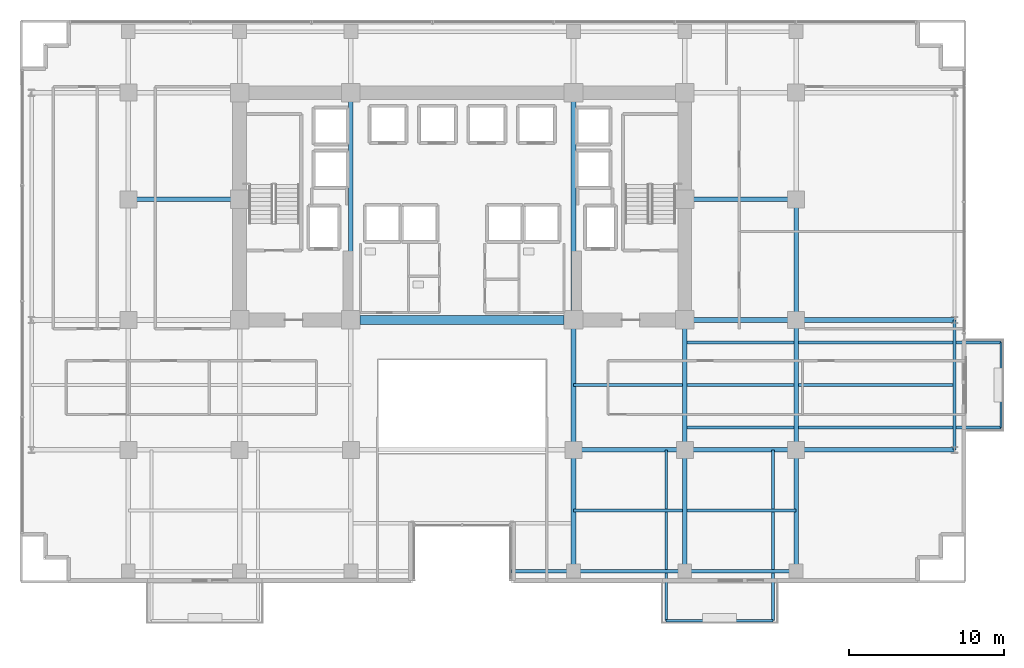
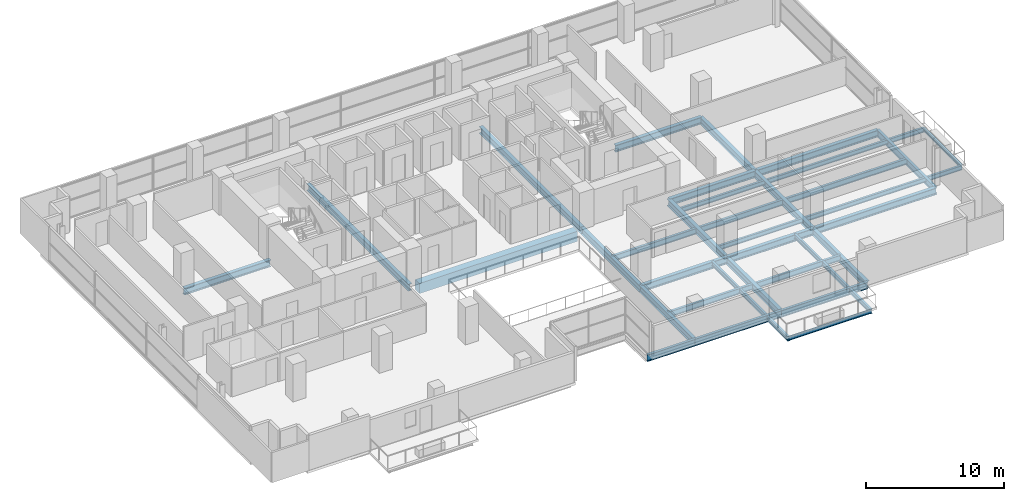
# One storey, part 10 of 26: 32 beams.
"""IFC4 building model written with IfcOpenShell, lengths in metres."""

from ifc_helpers import new_model, si_unit, direction, frame, origin, origin_2d, place, context, subcontext, project, spatial, rectangle, i_section, extrude, material, material_profile, profile_set, type_object, element, save


model = new_model("IFC4")

# Units and contexts
model_context = context("Model", 3, precision=1e-05, world=origin(), true_north=direction((0.0, 1.0)))
body_context = subcontext(model_context, "Body", "Model", "MODEL_VIEW")
ifc_project = project(units=[si_unit("LENGTHUNIT", "METRE"), si_unit("AREAUNIT", "SQUARE_METRE"), si_unit("VOLUMEUNIT", "CUBIC_METRE"), si_unit("PLANEANGLEUNIT", "RADIAN"), si_unit("MASSUNIT", "GRAM", prefix="KILO")], contexts=[model_context])

# Site, building, storey
site_placement = place(None, origin())
site = spatial("IfcSite", under=ifc_project, at=site_placement, CompositionType="ELEMENT")
building_placement = place(site_placement, origin())
building = spatial("IfcBuilding", under=site, at=building_placement, Name="Zarnakvel Exchange Tower", CompositionType="ELEMENT")
storey_placement = place(building_placement, frame((0.0, 0.0, 70.300048828125)))
storey = spatial("IfcBuildingStorey", under=building, at=storey_placement, Name="L19", CompositionType="ELEMENT", Elevation=70.300048828125)

# Beams
ifc_material_1 = material(Name="Steel S355", Category="steel")
ifc_material_profile_1 = material_profile(ifc_material_1, i_section(OverallWidth=0.199951171875, OverallDepth=0.5, WebThickness=0.01025390625, FlangeThickness=0.01611328125, FilletRadius=0.02099609375, at=origin_2d()))
ifc_profile_set_1 = profile_set([ifc_material_profile_1], Name="Steel S355")
beam_type_1 = type_object("IfcBeamType", Name="B-04", PredefinedType="JOIST", material=ifc_profile_set_1)
for number, where, z_axis, x_axis, name in (
    (1, (7.199951171875, -13.52490234375, -0.47509765625), (1.0, 0.0, 0.0), (0.0, 1.0, 0.0), "L19 Composite Floor Secondary Joist"),
    (2, (14.550048828125, -13.52490234375, -0.47509765625), (1.0, 0.0, 0.0), (0.0, 1.0, 0.0), "L19 Composite Floor Secondary Joist"),
    (3, (7.199951171875, -5.39990234375, -0.47509765625), (1.0, 0.0, 0.0), (0.0, 1.0, 0.0), "L19 Composite Floor Secondary Joist"),
):
    element("IfcBeam", number, at=place(storey_placement, frame(where, z_axis=z_axis, x_axis=x_axis)), inside=storey, type_object=beam_type_1, Name=name, PredefinedType="JOIST", context=body_context, shape_type="SweptSolid", body=[
        extrude(i_section(OverallWidth=0.199951171875, OverallDepth=0.5, WebThickness=0.01025390625, FlangeThickness=0.01611328125, FilletRadius=0.02099609375, at=origin_2d()), origin(), (0.0, 0.0, 1.0), 7.050048828125),
    ])
beam_1_placement = place(storey_placement, frame((14.550048828125, -5.39990234375, -0.47509765625), z_axis=(1.0, 0.0, 0.0), x_axis=(0.0, 1.0, 0.0)))
element("IfcBeam", 4, at=beam_1_placement, inside=storey, type_object=beam_type_1, Name="L19 Composite Floor Secondary Joist", PredefinedType="JOIST", context=body_context, shape_type="SweptSolid", body=[
    extrude(i_section(OverallWidth=0.199951171875, OverallDepth=0.5, WebThickness=0.01025390625, FlangeThickness=0.01611328125, FilletRadius=0.02099609375, at=origin_2d()), origin(), (0.0, 0.0, 1.0), 6.89990234375),
])
beam_2_placement = place(storey_placement, frame((21.75, -5.39990234375, -0.47509765625), z_axis=(1.0, 0.0, 0.0), x_axis=(0.0, 1.0, 0.0)))
element("IfcBeam", 5, at=beam_2_placement, inside=storey, type_object=beam_type_1, Name="L19 Composite Floor Secondary Joist", PredefinedType="JOIST", context=body_context, shape_type="SweptSolid", body=[
    extrude(i_section(OverallWidth=0.199951171875, OverallDepth=0.5, WebThickness=0.01025390625, FlangeThickness=0.01611328125, FilletRadius=0.02099609375, at=origin_2d()), origin(), (0.0, 0.0, 1.0), 10.10009765625),
])
ifc_material_profile_2 = material_profile(ifc_material_1, i_section(OverallWidth=0.179931640625, OverallDepth=0.39990234375, WebThickness=0.008544921875, FlangeThickness=0.013427734375, FilletRadius=0.02099609375, at=origin_2d()))
ifc_profile_set_2 = profile_set([ifc_material_profile_2], Name="Steel S355")
beam_type_2 = type_object("IfcBeamType", Name="B-06", PredefinedType="JOIST", material=ifc_profile_set_2)
for number, where, z_axis, x_axis, name in (
    (6, (13.199951171875, -9.60009765625, -0.425048828125), (0.0, -1.0, 0.0), (1.0, 0.0, 0.0), "L19 Continuous Back-Spanned Balcony Beam W"),
    (7, (20.10009765625, -9.60009765625, -0.425048828125), (0.0, -1.0, 0.0), (1.0, 0.0, 0.0), "L19 Continuous Back-Spanned Balcony Beam E"),
):
    element("IfcBeam", number, at=place(storey_placement, frame(where, z_axis=z_axis, x_axis=x_axis)), inside=storey, type_object=beam_type_2, Name=name, PredefinedType="JOIST", context=body_context, shape_type="SweptSolid", body=[
        extrude(i_section(OverallWidth=0.179931640625, OverallDepth=0.39990234375, WebThickness=0.008544921875, FlangeThickness=0.013427734375, FilletRadius=0.02099609375, at=origin_2d()), origin(), (0.0, 0.0, 1.0), 11.0498046875),
    ])
for number, where, z_axis, x_axis, name in (
    (8, (14.39990234375, -8.14990234375, -0.425048828125), (1.0, 0.0, 0.0), (0.0, 1.0, 0.0), "L19 Continuous East Loggia Beam S"),
    (9, (14.39990234375, -2.64990234375, -0.425048828125), (1.0, 0.0, 0.0), (0.0, 1.0, 0.0), "L19 Continuous East Loggia Beam N"),
):
    element("IfcBeam", number, at=place(storey_placement, frame(where, z_axis=z_axis, x_axis=x_axis)), inside=storey, type_object=beam_type_2, Name=name, PredefinedType="JOIST", context=body_context, shape_type="SweptSolid", body=[
        extrude(i_section(OverallWidth=0.179931640625, OverallDepth=0.39990234375, WebThickness=0.008544921875, FlangeThickness=0.013427734375, FilletRadius=0.02099609375, at=origin_2d()), origin(), (0.0, 0.0, 1.0), 20.4501953125),
    ])
ifc_material_profile_3 = material_profile(ifc_material_1, i_section(OverallWidth=0.14990234375, OverallDepth=0.300048828125, WebThickness=0.007080078125, FlangeThickness=0.0107421875, FilletRadius=0.014892578125, at=origin_2d()))
ifc_profile_set_3 = profile_set([ifc_material_profile_3], Name="Steel S355")
beam_type_3 = type_object("IfcBeamType", Name="B-08", PredefinedType="JOIST", material=ifc_profile_set_3)
beam_3_placement = place(storey_placement, frame((13.199951171875, -20.64990234375, -0.375), z_axis=(1.0, 0.0, 0.0), x_axis=(0.0, 1.0, 0.0)))
element("IfcBeam", 10, at=beam_3_placement, inside=storey, type_object=beam_type_3, Name="L19 Balcony Edge Beam", PredefinedType="JOIST", context=body_context, shape_type="SweptSolid", body=[
    extrude(i_section(OverallWidth=0.14990234375, OverallDepth=0.300048828125, WebThickness=0.007080078125, FlangeThickness=0.0107421875, FilletRadius=0.014892578125, at=origin_2d()), origin(), (0.0, 0.0, 1.0), 6.900146484375),
])
beam_4_placement = place(storey_placement, frame((34.85009765625, -8.14990234375, -0.375), z_axis=(0.0, 1.0, 0.0), x_axis=(-1.0, 0.0, 0.0)))
element("IfcBeam", 11, at=beam_4_placement, inside=storey, type_object=beam_type_3, Name="L19 East Loggia Edge Beam", PredefinedType="JOIST", context=body_context, shape_type="SweptSolid", body=[
    extrude(i_section(OverallWidth=0.14990234375, OverallDepth=0.300048828125, WebThickness=0.007080078125, FlangeThickness=0.0107421875, FilletRadius=0.014892578125, at=origin_2d()), origin(), (0.0, 0.0, 1.0), 5.5),
])
ifc_material_2 = material(Name="Concrete C80/95", Category="concrete")
ifc_material_profile_4 = material_profile(ifc_material_2, rectangle(XDim=0.60009765625, YDim=0.89990234375, at=origin_2d()))
ifc_profile_set_4 = profile_set([ifc_material_profile_4], Name="Concrete C80/95")
beam_type_4 = type_object("IfcBeamType", Name="CB-01", PredefinedType="LINTEL", material=ifc_profile_set_4)
beam_5_placement = place(storey_placement, frame((-6.60009765625, -1.199951171875, -0.675048828125), z_axis=(1.0, 0.0, 0.0), x_axis=(0.0, 1.0, 0.0)))
element("IfcBeam", 12, at=beam_5_placement, inside=storey, type_object=beam_type_4, Name="L19 Rear Core South Coupling Beam (CB-01)", PredefinedType="LINTEL", context=body_context, shape_type="SweptSolid", body=[
    extrude(rectangle(XDim=0.60009765625, YDim=0.89990234375, at=origin_2d()), origin(), (0.0, 0.0, 1.0), 13.2001953125),
])
ifc_material_profile_5 = material_profile(ifc_material_1, i_section(OverallWidth=0.300048828125, OverallDepth=0.60009765625, WebThickness=0.015380859375, FlangeThickness=0.030029296875, FilletRadius=0.027099609375, at=origin_2d()))
ifc_profile_set_5 = profile_set([ifc_material_profile_5], Name="Steel S355")
beam_type_5 = type_object("IfcBeamType", Name="G-04", PredefinedType="BEAM", material=ifc_profile_set_5)
beam_6_placement = place(storey_placement, frame((7.199951171875, -9.60009765625, -0.525146484375), z_axis=(1.0, 0.0, 0.0), x_axis=(0.0, 1.0, 0.0)))
element("IfcBeam", 13, at=beam_6_placement, inside=storey, type_object=beam_type_5, Name="L19 Tower E-W Frame Beam", PredefinedType="BEAM", context=body_context, shape_type="SweptSolid", body=[
    extrude(i_section(OverallWidth=0.300048828125, OverallDepth=0.60009765625, WebThickness=0.015380859375, FlangeThickness=0.030029296875, FilletRadius=0.027099609375, at=origin_2d()), origin(), (0.0, 0.0, 1.0), 7.199951171875),
])
beam_7_placement = place(storey_placement, frame((14.39990234375, -9.60009765625, -0.525146484375), z_axis=(1.0, 0.0, 0.0), x_axis=(0.0, 1.0, 0.0)))
element("IfcBeam", 14, at=beam_7_placement, inside=storey, type_object=beam_type_5, Name="L19 Tower E-W Frame Beam", PredefinedType="BEAM", context=body_context, shape_type="SweptSolid", body=[
    extrude(i_section(OverallWidth=0.300048828125, OverallDepth=0.60009765625, WebThickness=0.015380859375, FlangeThickness=0.030029296875, FilletRadius=0.027099609375, at=origin_2d()), origin(), (0.0, 0.0, 1.0), 7.2001953125),
])
beam_8_placement = place(storey_placement, frame((21.60009765625, -9.60009765625, -0.525146484375), z_axis=(1.0, 0.0, 0.0), x_axis=(0.0, 1.0, 0.0)))
element("IfcBeam", 15, at=beam_8_placement, inside=storey, type_object=beam_type_5, Name="L19 Tower E-W Frame Beam", PredefinedType="BEAM", context=body_context, shape_type="SweptSolid", body=[
    extrude(i_section(OverallWidth=0.300048828125, OverallDepth=0.60009765625, WebThickness=0.015380859375, FlangeThickness=0.030029296875, FilletRadius=0.027099609375, at=origin_2d()), origin(), (0.0, 0.0, 1.0), 10.25),
])
beam_9_placement = place(storey_placement, frame((14.39990234375, -1.199951171875, -0.525146484375), z_axis=(1.0, 0.0, 0.0), x_axis=(0.0, 1.0, 0.0)))
element("IfcBeam", 16, at=beam_9_placement, inside=storey, type_object=beam_type_5, Name="L19 Tower E-W Frame Beam", PredefinedType="BEAM", context=body_context, shape_type="SweptSolid", body=[
    extrude(i_section(OverallWidth=0.300048828125, OverallDepth=0.60009765625, WebThickness=0.015380859375, FlangeThickness=0.030029296875, FilletRadius=0.027099609375, at=origin_2d()), origin(), (0.0, 0.0, 1.0), 7.2001953125),
])
beam_10_placement = place(storey_placement, frame((21.60009765625, -1.199951171875, -0.525146484375), z_axis=(1.0, 0.0, 0.0), x_axis=(0.0, 1.0, 0.0)))
element("IfcBeam", 17, at=beam_10_placement, inside=storey, type_object=beam_type_5, Name="L19 Tower E-W Frame Beam", PredefinedType="BEAM", context=body_context, shape_type="SweptSolid", body=[
    extrude(i_section(OverallWidth=0.300048828125, OverallDepth=0.60009765625, WebThickness=0.015380859375, FlangeThickness=0.030029296875, FilletRadius=0.027099609375, at=origin_2d()), origin(), (0.0, 0.0, 1.0), 10.25),
])
for number, where, z_axis, x_axis, name in (
    (18, (-21.60009765625, 6.60009765625, -0.525146484375), (1.0, 0.0, 0.0), (0.0, 1.0, 0.0), "L19 Tower E-W Frame Beam"),
    (19, (14.39990234375, 6.60009765625, -0.525146484375), (1.0, 0.0, 0.0), (0.0, 1.0, 0.0), "L19 Tower E-W Frame Beam"),
):
    element("IfcBeam", number, at=place(storey_placement, frame(where, z_axis=z_axis, x_axis=x_axis)), inside=storey, type_object=beam_type_5, Name=name, PredefinedType="BEAM", context=body_context, shape_type="SweptSolid", body=[
        extrude(i_section(OverallWidth=0.300048828125, OverallDepth=0.60009765625, WebThickness=0.015380859375, FlangeThickness=0.030029296875, FilletRadius=0.027099609375, at=origin_2d()), origin(), (0.0, 0.0, 1.0), 7.2001953125),
    ])
beam_11_placement = place(storey_placement, frame((-7.199951171875, -1.199951171875, -0.525146484375), z_axis=(0.0, 1.0, 0.0), x_axis=(-1.0, 0.0, 0.0)))
element("IfcBeam", 20, at=beam_11_placement, inside=storey, type_object=beam_type_5, Name="L19 Tower N-S Frame Beam", PredefinedType="BEAM", context=body_context, shape_type="SweptSolid", body=[
    extrude(i_section(OverallWidth=0.300048828125, OverallDepth=0.60009765625, WebThickness=0.015380859375, FlangeThickness=0.030029296875, FilletRadius=0.027099609375, at=origin_2d()), origin(), (0.0, 0.0, 1.0), 14.699951171875),
])
beam_12_placement = place(storey_placement, frame((7.199951171875, -17.449951171875, -0.525146484375), z_axis=(0.0, 1.0, 0.0), x_axis=(-1.0, 0.0, 0.0)))
element("IfcBeam", 21, at=beam_12_placement, inside=storey, type_object=beam_type_5, Name="L19 Tower N-S Frame Beam", PredefinedType="BEAM", context=body_context, shape_type="SweptSolid", body=[
    extrude(i_section(OverallWidth=0.300048828125, OverallDepth=0.60009765625, WebThickness=0.015380859375, FlangeThickness=0.030029296875, FilletRadius=0.027099609375, at=origin_2d()), origin(), (0.0, 0.0, 1.0), 7.849853515625),
])
beam_13_placement = place(storey_placement, frame((7.199951171875, -9.60009765625, -0.525146484375), z_axis=(0.0, 1.0, 0.0), x_axis=(-1.0, 0.0, 0.0)))
element("IfcBeam", 22, at=beam_13_placement, inside=storey, type_object=beam_type_5, Name="L19 Tower N-S Frame Beam", PredefinedType="BEAM", context=body_context, shape_type="SweptSolid", body=[
    extrude(i_section(OverallWidth=0.300048828125, OverallDepth=0.60009765625, WebThickness=0.015380859375, FlangeThickness=0.030029296875, FilletRadius=0.027099609375, at=origin_2d()), origin(), (0.0, 0.0, 1.0), 8.400146484375),
])
beam_14_placement = place(storey_placement, frame((7.199951171875, -1.199951171875, -0.525146484375), z_axis=(0.0, 1.0, 0.0), x_axis=(-1.0, 0.0, 0.0)))
element("IfcBeam", 23, at=beam_14_placement, inside=storey, type_object=beam_type_5, Name="L19 Tower N-S Frame Beam", PredefinedType="BEAM", context=body_context, shape_type="SweptSolid", body=[
    extrude(i_section(OverallWidth=0.300048828125, OverallDepth=0.60009765625, WebThickness=0.015380859375, FlangeThickness=0.030029296875, FilletRadius=0.027099609375, at=origin_2d()), origin(), (0.0, 0.0, 1.0), 14.699951171875),
])
beam_15_placement = place(storey_placement, frame((14.39990234375, -17.449951171875, -0.525146484375), z_axis=(0.0, 1.0, 0.0), x_axis=(-1.0, 0.0, 0.0)))
element("IfcBeam", 24, at=beam_15_placement, inside=storey, type_object=beam_type_5, Name="L19 Tower N-S Frame Beam", PredefinedType="BEAM", context=body_context, shape_type="SweptSolid", body=[
    extrude(i_section(OverallWidth=0.300048828125, OverallDepth=0.60009765625, WebThickness=0.015380859375, FlangeThickness=0.030029296875, FilletRadius=0.027099609375, at=origin_2d()), origin(), (0.0, 0.0, 1.0), 7.849853515625),
])
beam_16_placement = place(storey_placement, frame((14.39990234375, -9.60009765625, -0.525146484375), z_axis=(0.0, 1.0, 0.0), x_axis=(-1.0, 0.0, 0.0)))
element("IfcBeam", 25, at=beam_16_placement, inside=storey, type_object=beam_type_5, Name="L19 Tower N-S Frame Beam", PredefinedType="BEAM", context=body_context, shape_type="SweptSolid", body=[
    extrude(i_section(OverallWidth=0.300048828125, OverallDepth=0.60009765625, WebThickness=0.015380859375, FlangeThickness=0.030029296875, FilletRadius=0.027099609375, at=origin_2d()), origin(), (0.0, 0.0, 1.0), 8.400146484375),
])
beam_17_placement = place(storey_placement, frame((21.60009765625, -17.449951171875, -0.525146484375), z_axis=(0.0, 1.0, 0.0), x_axis=(-1.0, 0.0, 0.0)))
element("IfcBeam", 26, at=beam_17_placement, inside=storey, type_object=beam_type_5, Name="L19 Tower N-S Frame Beam", PredefinedType="BEAM", context=body_context, shape_type="SweptSolid", body=[
    extrude(i_section(OverallWidth=0.300048828125, OverallDepth=0.60009765625, WebThickness=0.015380859375, FlangeThickness=0.030029296875, FilletRadius=0.027099609375, at=origin_2d()), origin(), (0.0, 0.0, 1.0), 7.849853515625),
])
beam_18_placement = place(storey_placement, frame((21.60009765625, -9.60009765625, -0.525146484375), z_axis=(0.0, 1.0, 0.0), x_axis=(-1.0, 0.0, 0.0)))
element("IfcBeam", 27, at=beam_18_placement, inside=storey, type_object=beam_type_5, Name="L19 Tower N-S Frame Beam", PredefinedType="BEAM", context=body_context, shape_type="SweptSolid", body=[
    extrude(i_section(OverallWidth=0.300048828125, OverallDepth=0.60009765625, WebThickness=0.015380859375, FlangeThickness=0.030029296875, FilletRadius=0.027099609375, at=origin_2d()), origin(), (0.0, 0.0, 1.0), 8.400146484375),
])
beam_19_placement = place(storey_placement, frame((21.60009765625, -1.199951171875, -0.525146484375), z_axis=(0.0, 1.0, 0.0), x_axis=(-1.0, 0.0, 0.0)))
element("IfcBeam", 28, at=beam_19_placement, inside=storey, type_object=beam_type_5, Name="L19 Tower N-S Frame Beam", PredefinedType="BEAM", context=body_context, shape_type="SweptSolid", body=[
    extrude(i_section(OverallWidth=0.300048828125, OverallDepth=0.60009765625, WebThickness=0.015380859375, FlangeThickness=0.030029296875, FilletRadius=0.027099609375, at=origin_2d()), origin(), (0.0, 0.0, 1.0), 7.800048828125),
])
ifc_material_profile_6 = material_profile(ifc_material_1, i_section(OverallWidth=0.219970703125, OverallDepth=0.60009765625, WebThickness=0.011962890625, FlangeThickness=0.01904296875, FilletRadius=0.02392578125, at=origin_2d()))
ifc_profile_set_6 = profile_set([ifc_material_profile_6], Name="Steel S355")
beam_type_6 = type_object("IfcBeamType", Name="SP-01", PredefinedType="SPANDREL", material=ifc_profile_set_6)
beam_20_placement = place(storey_placement, frame((3.199951171875, -17.449951171875, -0.525146484375), z_axis=(1.0, 0.0, 0.0), x_axis=(0.0, 1.0, 0.0)))
element("IfcBeam", 29, at=beam_20_placement, inside=storey, type_object=beam_type_6, Name="L19 South Slot East Jamb Spandrel", PredefinedType="SPANDREL", context=body_context, shape_type="SweptSolid", body=[
    extrude(i_section(OverallWidth=0.219970703125, OverallDepth=0.60009765625, WebThickness=0.011962890625, FlangeThickness=0.01904296875, FilletRadius=0.02392578125, at=origin_2d()), origin(), (0.0, 0.0, 1.0), 4.0),
])
beam_21_placement = place(storey_placement, frame((7.199951171875, -17.449951171875, -0.525146484375), z_axis=(1.0, 0.0, 0.0), x_axis=(0.0, 1.0, 0.0)))
element("IfcBeam", 30, at=beam_21_placement, inside=storey, type_object=beam_type_6, Name="L19 Tower E-W Frame Beam", PredefinedType="SPANDREL", context=body_context, shape_type="SweptSolid", body=[
    extrude(i_section(OverallWidth=0.219970703125, OverallDepth=0.60009765625, WebThickness=0.011962890625, FlangeThickness=0.01904296875, FilletRadius=0.02392578125, at=origin_2d()), origin(), (0.0, 0.0, 1.0), 7.199951171875),
])
beam_22_placement = place(storey_placement, frame((14.39990234375, -17.449951171875, -0.525146484375), z_axis=(1.0, 0.0, 0.0), x_axis=(0.0, 1.0, 0.0)))
element("IfcBeam", 31, at=beam_22_placement, inside=storey, type_object=beam_type_6, Name="L19 Tower E-W Frame Beam", PredefinedType="SPANDREL", context=body_context, shape_type="SweptSolid", body=[
    extrude(i_section(OverallWidth=0.219970703125, OverallDepth=0.60009765625, WebThickness=0.011962890625, FlangeThickness=0.01904296875, FilletRadius=0.02392578125, at=origin_2d()), origin(), (0.0, 0.0, 1.0), 7.2001953125),
])
beam_23_placement = place(storey_placement, frame((31.85009765625, -9.60009765625, -0.525146484375), z_axis=(0.0, 1.0, 0.0), x_axis=(-1.0, 0.0, 0.0)))
element("IfcBeam", 32, at=beam_23_placement, inside=storey, type_object=beam_type_6, Name="L19 Tower N-S Frame Beam", PredefinedType="SPANDREL", context=body_context, shape_type="SweptSolid", body=[
    extrude(i_section(OverallWidth=0.219970703125, OverallDepth=0.60009765625, WebThickness=0.011962890625, FlangeThickness=0.01904296875, FilletRadius=0.02392578125, at=origin_2d()), origin(), (0.0, 0.0, 1.0), 8.400146484375),
])

save(model, "model.ifc")
